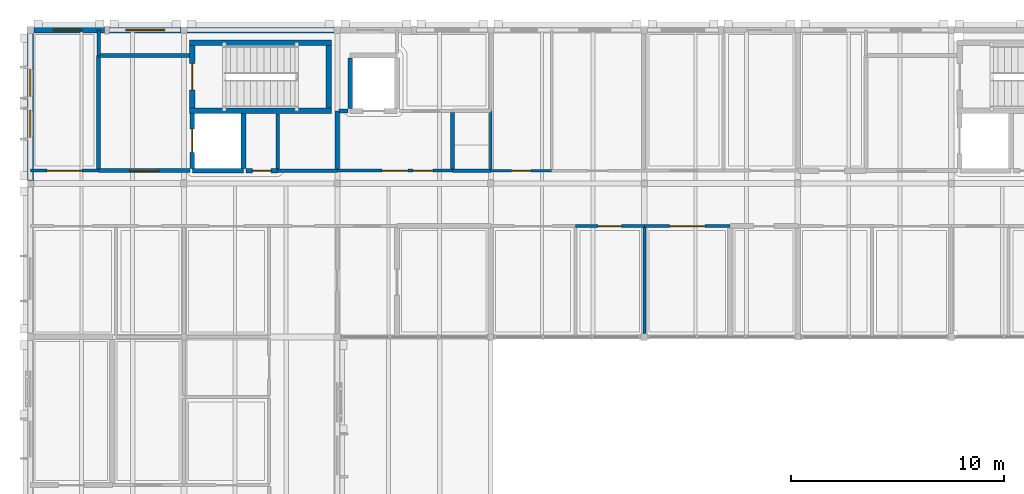
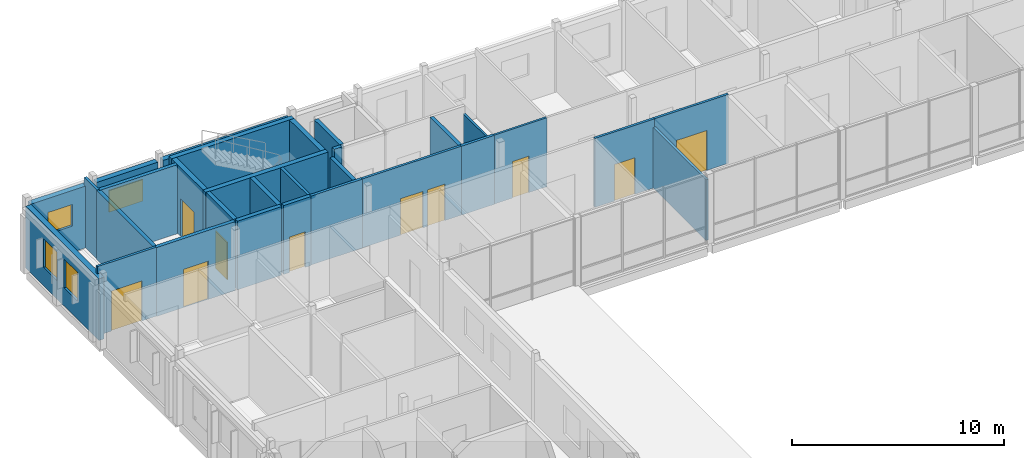
# One storey, part 39 of 57: 30 walls, 10 doors, 4 windows, 14 openings.
"""IFC4 building model written with IfcOpenShell, lengths in metres."""

from ifc_helpers import new_model, si_unit, direction, frame, frame_2d, origin, place, context, subcontext, project, spatial, rectangle, extrude, material, layer, layer_set, type_object, element, fill, save


model = new_model("IFC4")

# Units and contexts
model_context = context("Model", 3, precision=1e-05, world=origin(), true_north=direction((0.0, 1.0)))
body_context = subcontext(model_context, "Body", "Model", "MODEL_VIEW")
ifc_project = project(units=[si_unit("LENGTHUNIT", "METRE"), si_unit("AREAUNIT", "SQUARE_METRE"), si_unit("VOLUMEUNIT", "CUBIC_METRE"), si_unit("PLANEANGLEUNIT", "RADIAN"), si_unit("MASSUNIT", "GRAM", prefix="KILO")], contexts=[model_context])

# Site, building, storey
site_placement = place(None, origin())
site = spatial("IfcSite", under=ifc_project, at=site_placement, CompositionType="ELEMENT")
building_placement = place(site_placement, origin())
building = spatial("IfcBuilding", under=site, at=building_placement, Name="Hawrajan Terrace Health Centre", CompositionType="ELEMENT")
storey_placement = place(building_placement, frame((0.0, 0.0, 13.199951171875)))
storey = spatial("IfcBuildingStorey", under=building, at=storey_placement, Name="L03", CompositionType="ELEMENT", Elevation=13.199951171875)

# Wall, opening, door
ifc_material_1 = material(Name="Gypsum board on acoustic stud framing")
ifc_layer_1 = layer(ifc_material_1, 0.139892578125)
ifc_layer_set_1 = layer_set([ifc_layer_1], Name="Gypsum board on acoustic stud framing")
wall_type_1 = type_object("IfcWallType", Name="ClinicalAcousticWall_140", PredefinedType="PARTITIONING", material=ifc_layer_set_1)
wall_1_placement = place(storey_placement, frame((4.60009765625, 53.199951171875, 0.0), z_axis=(0.0, 0.0, 1.0), x_axis=(1.0, 0.0, 0.0)))
wall_1 = element("IfcWall", 1, at=wall_1_placement, inside=storey, type_object=wall_type_1, Name="Interior wall IW-L03-1276", PredefinedType="PARTITIONING", context=body_context, shape_type="SweptSolid", body=[
    extrude(rectangle(XDim=3.199951171875, YDim=0.139892578125, at=frame_2d((1.60009765625, 0.0))), origin(), (0.0, 0.0, 1.0), 3.9599609375),
])
opening_1_placement = place(wall_1_placement, frame((0.77001953125, 0.0, 0.0)))
opening_1 = element("IfcOpeningElement", 2, at=opening_1_placement, cuts=wall_1, Name="Opening D-L03-593", PredefinedType="OPENING", context=body_context, shape_type="SweptSolid", body=[
    extrude(rectangle(XDim=1.659912109375, YDim=2.300048828125, at=frame_2d((0.830078125, 1.14990234375))), frame((0.0, 0.079833984375, 0.0), z_axis=(0.0, -1.0, 0.0), x_axis=(1.0, 0.0, 0.0)), (0.0, 0.0, 1.0), 0.159912109375),
])
ifc_material_2 = material(Name="Hardwood acoustic clinical door leaf and frame", Category="wood")
door_type_1 = type_object("IfcDoorType", Name="RehabGymDoor_1660x2300", OperationType="DOUBLE_DOOR_SINGLE_SWING", PredefinedType="DOOR", material=ifc_material_2)
door_1_placement = place(opening_1_placement, origin())
door_1 = element("IfcDoor", 3, at=door_1_placement, inside=storey, type_object=door_type_1, Name="Interior door D-L03-593", OperationType="DOUBLE_DOOR_SINGLE_SWING", OverallHeight=2.300048828125, OverallWidth=1.659912109375, PredefinedType="DOOR", context=body_context, shape_type="SweptSolid", body=[
    extrude(rectangle(XDim=1.659912109375, YDim=2.300048828125, at=frame_2d((0.830078125, 1.14990234375))), frame((0.0, 0.02490234375, 0.0), z_axis=(0.0, -1.0, 0.0), x_axis=(1.0, 0.0, 0.0)), (0.0, 0.0, 1.0), 0.050048828125),
])
fill(opening_1, door_1)

# Wall, openings, doors
wall_2_placement = place(storey_placement, frame((19.0, 53.199951171875, 0.0), z_axis=(0.0, 0.0, 1.0), x_axis=(1.0, 0.0, 0.0)))
wall_2 = element("IfcWall", 4, at=wall_2_placement, inside=storey, type_object=wall_type_1, Name="Interior wall IW-L03-1307", PredefinedType="PARTITIONING", context=body_context, shape_type="SweptSolid", body=[
    extrude(rectangle(XDim=5.39990234375, YDim=0.139892578125, at=frame_2d((2.699951171875, 0.0))), origin(), (0.0, 0.0, 1.0), 3.9599609375),
])
opening_2_placement = place(wall_2_placement, frame((2.090087890625, 0.0, 0.0)))
opening_2 = element("IfcOpeningElement", 5, at=opening_2_placement, cuts=wall_2, Name="Opening D-L03-572", PredefinedType="OPENING", context=body_context, shape_type="SweptSolid", body=[
    extrude(rectangle(XDim=1.219970703125, YDim=2.10009765625, at=frame_2d((0.60986328125, 1.050048828125))), frame((0.0, 0.079833984375, 0.0), z_axis=(0.0, -1.0, 0.0), x_axis=(1.0, 0.0, 0.0)), (0.0, 0.0, 1.0), 0.159912109375),
])
opening_3_placement = place(wall_2_placement, frame((3.544921875, 0.0, 0.0)))
opening_3 = element("IfcOpeningElement", 6, at=opening_3_placement, cuts=wall_2, Name="Opening D-L03-573", PredefinedType="OPENING", context=body_context, shape_type="SweptSolid", body=[
    extrude(rectangle(XDim=0.949951171875, YDim=2.10009765625, at=frame_2d((0.47509765625, 1.050048828125))), frame((0.0, 0.079833984375, 0.0), z_axis=(0.0, -1.0, 0.0), x_axis=(1.0, 0.0, 0.0)), (0.0, 0.0, 1.0), 0.159912109375),
])
door_type_2 = type_object("IfcDoorType", Name="AccessibleWCDoor_950x2100", OperationType="NOTDEFINED", PredefinedType="DOOR", material=ifc_material_2)
door_2_placement = place(opening_3_placement, origin())
door_2 = element("IfcDoor", 7, at=door_2_placement, inside=storey, type_object=door_type_2, Name="Interior door D-L03-573", OperationType="SINGLE_SWING_LEFT", OverallHeight=2.10009765625, OverallWidth=0.949951171875, PredefinedType="DOOR", context=body_context, shape_type="SweptSolid", body=[
    extrude(rectangle(XDim=0.949951171875, YDim=2.10009765625, at=frame_2d((0.47509765625, 1.050048828125))), frame((0.0, 0.02490234375, 0.0), z_axis=(0.0, -1.0, 0.0), x_axis=(1.0, 0.0, 0.0)), (0.0, 0.0, 1.0), 0.050048828125),
])
fill(opening_3, door_2)
door_type_3 = type_object("IfcDoorType", Name="ConsultDoor_1220x2100", OperationType="NOTDEFINED", PredefinedType="DOOR", material=ifc_material_2)
door_3_placement = place(opening_2_placement, origin())
door_3 = element("IfcDoor", 8, at=door_3_placement, inside=storey, type_object=door_type_3, Name="Interior door D-L03-572", OperationType="SINGLE_SWING_RIGHT", OverallHeight=2.10009765625, OverallWidth=1.219970703125, PredefinedType="DOOR", context=body_context, shape_type="SweptSolid", body=[
    extrude(rectangle(XDim=1.219970703125, YDim=2.10009765625, at=frame_2d((0.60986328125, 1.050048828125))), frame((0.0, 0.02490234375, 0.0), z_axis=(0.0, -1.0, 0.0), x_axis=(1.0, 0.0, 0.0)), (0.0, 0.0, 1.0), 0.050048828125),
])
fill(opening_2, door_3)

# Wall, opening, door
wall_3_placement = place(storey_placement, frame((30.1669921875, 50.60009765625, 0.0), z_axis=(0.0, 0.0, 1.0), x_axis=(1.0, 0.0, 0.0)))
wall_3 = element("IfcWall", 9, at=wall_3_placement, inside=storey, type_object=wall_type_1, Name="Interior wall IW-L03-1318", PredefinedType="PARTITIONING", context=body_context, shape_type="SweptSolid", body=[
    extrude(rectangle(XDim=3.23291015625, YDim=0.139892578125, at=frame_2d((1.616455078125, 0.0))), origin(), (0.0, 0.0, 1.0), 3.9599609375),
])
opening_4_placement = place(wall_3_placement, frame((1.06640625, 0.0, 0.0)))
opening_4 = element("IfcOpeningElement", 10, at=opening_4_placement, cuts=wall_3, Name="Opening D-L03-602", PredefinedType="OPENING", context=body_context, shape_type="SweptSolid", body=[
    extrude(rectangle(XDim=1.10009765625, YDim=2.10009765625, at=frame_2d((0.550048828125, 1.050048828125))), frame((0.0, 0.079833984375, 0.0), z_axis=(0.0, -1.0, 0.0), x_axis=(1.0, 0.0, 0.0)), (0.0, 0.0, 1.0), 0.159912109375),
])
door_type_4 = type_object("IfcDoorType", Name="ConsultDoor_1100x2100", OperationType="NOTDEFINED", PredefinedType="DOOR", material=ifc_material_2)
door_4_placement = place(opening_4_placement, origin())
door_4 = element("IfcDoor", 11, at=door_4_placement, inside=storey, type_object=door_type_4, Name="Interior door D-L03-602", OperationType="SINGLE_SWING_RIGHT", OverallHeight=2.10009765625, OverallWidth=1.10009765625, PredefinedType="DOOR", context=body_context, shape_type="SweptSolid", body=[
    extrude(rectangle(XDim=1.10009765625, YDim=2.10009765625, at=frame_2d((0.550048828125, 1.050048828125))), frame((0.0, 0.02490234375, 0.0), z_axis=(0.0, -1.0, 0.0), x_axis=(1.0, 0.0, 0.0)), (0.0, 0.0, 1.0), 0.050048828125),
])
fill(opening_4, door_4)

# Wall
wall_4_placement = place(storey_placement, frame((33.39990234375, 45.56005859375, 0.0), z_axis=(0.0, 0.0, 1.0), x_axis=(0.0, 1.0, 0.0)))
element("IfcWall", 12, at=wall_4_placement, inside=storey, type_object=wall_type_1, Name="Interior wall IW-L03-1319", PredefinedType="PARTITIONING", context=body_context, shape_type="SweptSolid", body=[
    extrude(rectangle(XDim=4.969970703125, YDim=0.139892578125, at=frame_2d((2.48486328125, 0.0))), origin(), (0.0, 0.0, 1.0), 3.489990234375),
])

# Wall, opening, door
wall_5_placement = place(storey_placement, frame((33.39990234375, 50.60009765625, 0.0), z_axis=(0.0, 0.0, 1.0), x_axis=(1.0, 0.0, 0.0)))
wall_5 = element("IfcWall", 13, at=wall_5_placement, inside=storey, type_object=wall_type_1, Name="Interior wall IW-L03-1320", PredefinedType="PARTITIONING", context=body_context, shape_type="SweptSolid", body=[
    extrude(rectangle(XDim=4.025146484375, YDim=0.139892578125, at=frame_2d((2.0126953125, 0.0))), origin(), (0.0, 0.0, 1.0), 3.9599609375),
])
opening_5_placement = place(wall_5_placement, frame((1.1826171875, 0.0, 0.0)))
opening_5 = element("IfcOpeningElement", 14, at=opening_5_placement, cuts=wall_5, Name="Opening D-L03-603", PredefinedType="OPENING", context=body_context, shape_type="SweptSolid", body=[
    extrude(rectangle(XDim=1.659912109375, YDim=2.300048828125, at=frame_2d((0.830078125, 1.14990234375))), frame((0.0, 0.079833984375, 0.0), z_axis=(0.0, -1.0, 0.0), x_axis=(1.0, 0.0, 0.0)), (0.0, 0.0, 1.0), 0.159912109375),
])
door_5_placement = place(opening_5_placement, origin())
door_5 = element("IfcDoor", 15, at=door_5_placement, inside=storey, type_object=door_type_1, Name="Interior door D-L03-603", OperationType="DOUBLE_DOOR_SINGLE_SWING", OverallHeight=2.300048828125, OverallWidth=1.659912109375, PredefinedType="DOOR", context=body_context, shape_type="SweptSolid", body=[
    extrude(rectangle(XDim=1.659912109375, YDim=2.300048828125, at=frame_2d((0.830078125, 1.14990234375))), frame((0.0, 0.02490234375, 0.0), z_axis=(0.0, -1.0, 0.0), x_axis=(1.0, 0.0, 0.0)), (0.0, 0.0, 1.0), 0.050048828125),
])
fill(opening_5, door_5)

# Walls
ifc_material_3 = material(Name="Concrete C40/50", Category="concrete")
ifc_layer_2 = layer(ifc_material_3, 0.260009765625)
ifc_layer_set_2 = layer_set([ifc_layer_2], Name="Concrete C40/50")
wall_type_2 = type_object("IfcWallType", Name="CoreShearWall_RC260", PredefinedType="SHEAR", material=ifc_layer_set_2)
for number, where, z_axis, x_axis, name in (
    (16, (12.070068359375, 56.0, 0.0), (0.0, 0.0, 1.0), (1.0, 0.0, 0.0), "Core shear wall SW-C1-L03-S"),
    (17, (12.070068359375, 59.199951171875, 0.0), (0.0, 0.0, 1.0), (1.0, 0.0, 0.0), "Core shear wall SW-C1-L03-N"),
):
    element("IfcWall", number, at=place(storey_placement, frame(where, z_axis=z_axis, x_axis=x_axis)), inside=storey, type_object=wall_type_2, Name=name, PredefinedType="SHEAR", context=body_context, shape_type="SweptSolid", body=[
        extrude(rectangle(XDim=6.659912109375, YDim=0.260009765625, at=frame_2d((3.330078125, 0.0))), origin(), (0.0, 0.0, 1.0), 3.949951171875),
    ])

# Wall, opening, door
wall_6_placement = place(storey_placement, frame((12.199951171875, 56.1298828125, 0.0), z_axis=(0.0, 0.0, 1.0), x_axis=(0.0, 1.0, 0.0)))
wall_6 = element("IfcWall", 18, at=wall_6_placement, inside=storey, type_object=wall_type_2, Name="Core shear wall SW-C1-L03-W", PredefinedType="SHEAR", context=body_context, shape_type="SweptSolid", body=[
    extrude(rectangle(XDim=2.940185546875, YDim=0.260009765625, at=frame_2d((1.47021484375, 0.0))), origin(), (0.0, 0.0, 1.0), 3.949951171875),
])
opening_6_placement = place(wall_6_placement, frame((0.844970703125, 0.0, 0.0)))
opening_6 = element("IfcOpeningElement", 19, at=opening_6_placement, cuts=wall_6, Name="Opening D-L03-565", PredefinedType="OPENING", context=body_context, shape_type="SweptSolid", body=[
    extrude(rectangle(XDim=1.25, YDim=2.14990234375, at=frame_2d((0.625, 1.074951171875))), frame((0.0, 0.139892578125, 0.0), z_axis=(0.0, -1.0, 0.0), x_axis=(1.0, 0.0, 0.0)), (0.0, 0.0, 1.0), 0.280029296875),
])
ifc_material_4 = material(Name="Timber-veneered acoustic fire-resisting door assembly", Category="wood")
door_type_5 = type_object("IfcDoorType", Name="CoreStairDoor_1250x2150", OperationType="NOTDEFINED", PredefinedType="DOOR", material=ifc_material_4)
door_6_placement = place(opening_6_placement, origin())
door_6 = element("IfcDoor", 20, at=door_6_placement, inside=storey, type_object=door_type_5, Name="Interior door D-L03-565", OperationType="SINGLE_SWING_LEFT", OverallHeight=2.14990234375, OverallWidth=1.25, PredefinedType="DOOR", context=body_context, shape_type="SweptSolid", body=[
    extrude(rectangle(XDim=1.25, YDim=2.14990234375, at=frame_2d((0.625, 1.074951171875))), frame((0.0, 0.02490234375, 0.0), z_axis=(0.0, -1.0, 0.0), x_axis=(1.0, 0.0, 0.0)), (0.0, 0.0, 1.0), 0.050048828125),
])
fill(opening_6, door_6)

# Walls
wall_7_placement = place(storey_placement, frame((18.60009765625, 56.1298828125, 0.0), z_axis=(0.0, 0.0, 1.0), x_axis=(0.0, 1.0, 0.0)))
element("IfcWall", 21, at=wall_7_placement, inside=storey, type_object=wall_type_2, Name="Core shear wall SW-C1-L03-E", PredefinedType="SHEAR", context=body_context, shape_type="SweptSolid", body=[
    extrude(rectangle(XDim=2.940185546875, YDim=0.260009765625, at=frame_2d((1.47021484375, 0.0))), origin(), (0.0, 0.0, 1.0), 3.949951171875),
])
ifc_layer_3 = layer(ifc_material_1, 0.159912109375)
ifc_layer_set_3 = layer_set([ifc_layer_3], Name="Gypsum board on acoustic stud framing")
wall_type_3 = type_object("IfcWallType", Name="CorridorFireWall_160", PredefinedType="PARTITIONING", material=ifc_layer_set_3)
wall_8_placement = place(storey_placement, frame((16.199951171875, 53.27001953125, 0.0), z_axis=(0.0, 0.0, 1.0), x_axis=(0.0, 1.0, 0.0)))
element("IfcWall", 22, at=wall_8_placement, inside=storey, type_object=wall_type_3, Name="Interior wall IW-L03-1391", PredefinedType="PARTITIONING", context=body_context, shape_type="SweptSolid", body=[
    extrude(rectangle(XDim=2.590087890625, YDim=0.159912109375, at=frame_2d((1.294921875, 0.0))), origin(), (0.0, 0.0, 1.0), 3.9599609375),
])
wall_9_placement = place(storey_placement, frame((26.199951171875, 53.199951171875, 0.0), z_axis=(0.0, 0.0, 1.0), x_axis=(-1.0, 0.0, 0.0)))
element("IfcWall", 23, at=wall_9_placement, inside=storey, type_object=wall_type_3, Name="Interior wall IW-L03-1401", PredefinedType="PARTITIONING", context=body_context, shape_type="SweptSolid", body=[
    extrude(rectangle(XDim=1.800048828125, YDim=0.159912109375, at=frame_2d((0.89990234375, 0.0))), origin(), (0.0, 0.0, 1.0), 3.9599609375),
])
wall_10_placement = place(storey_placement, frame((19.0, 53.199951171875, 0.0), z_axis=(0.0, 0.0, 1.0), x_axis=(-1.0, 0.0, 0.0)))
element("IfcWall", 24, at=wall_10_placement, inside=storey, type_object=wall_type_3, Name="Interior wall IW-L03-1402", PredefinedType="PARTITIONING", context=body_context, shape_type="SweptSolid", body=[
    extrude(rectangle(XDim=2.800048828125, YDim=0.159912109375, at=frame_2d((1.39990234375, 0.0))), origin(), (0.0, 0.0, 1.0), 3.9599609375),
])
wall_11_placement = place(storey_placement, frame((7.800048828125, 58.60009765625, 0.0), z_axis=(0.0, 0.0, 1.0), x_axis=(0.0, 1.0, 0.0)))
element("IfcWall", 25, at=wall_11_placement, inside=storey, type_object=wall_type_3, Name="Interior wall IW-L03-1409", PredefinedType="PARTITIONING", context=body_context, shape_type="SweptSolid", body=[
    extrude(rectangle(XDim=1.199951171875, YDim=0.159912109375, at=frame_2d((0.60009765625, 0.0))), origin(), (0.0, 0.0, 1.0), 3.9599609375),
])
ifc_material_5 = material(Name="Cross-laminated timber CLT C24", Category="wood")
ifc_layer_4 = layer(ifc_material_5, 0.199951171875)
ifc_layer_set_4 = layer_set([ifc_layer_4], Name="Cross-laminated timber CLT C24")
wall_type_4 = type_object("IfcWallType", Name="FireCompartmentWall_200", PredefinedType="PARTITIONING", material=ifc_layer_set_4)
wall_12_placement = place(storey_placement, frame((7.800048828125, 53.27001953125, 0.0), z_axis=(0.0, 0.0, 1.0), x_axis=(0.0, 1.0, 0.0)))
element("IfcWall", 26, at=wall_12_placement, inside=storey, type_object=wall_type_4, Name="Interior wall IW-L03-1277", PredefinedType="PARTITIONING", context=body_context, shape_type="SweptSolid", body=[
    extrude(rectangle(XDim=5.330078125, YDim=0.199951171875, at=frame_2d((2.6650390625, 0.0))), origin(), (0.0, 0.0, 1.0), 3.9599609375),
])

# Wall, opening, door
wall_13_placement = place(storey_placement, frame((7.800048828125, 53.199951171875, 0.0), z_axis=(0.0, 0.0, 1.0), x_axis=(1.0, 0.0, 0.0)))
wall_13 = element("IfcWall", 27, at=wall_13_placement, inside=storey, type_object=wall_type_4, Name="Interior wall IW-L03-1278", PredefinedType="PARTITIONING", context=body_context, shape_type="SweptSolid", body=[
    extrude(rectangle(XDim=4.2900390625, YDim=0.199951171875, at=frame_2d((2.14501953125, 0.0))), origin(), (0.0, 0.0, 1.0), 3.9599609375),
])
opening_7_placement = place(wall_13_placement, frame((1.465087890625, 0.0, 0.0)))
opening_7 = element("IfcOpeningElement", 28, at=opening_7_placement, cuts=wall_13, Name="Opening D-L03-569", PredefinedType="OPENING", context=body_context, shape_type="SweptSolid", body=[
    extrude(rectangle(XDim=1.360107421875, YDim=2.199951171875, at=frame_2d((0.68017578125, 1.10009765625))), frame((0.0, 0.10986328125, 0.0), z_axis=(0.0, -1.0, 0.0), x_axis=(1.0, 0.0, 0.0)), (0.0, 0.0, 1.0), 0.219970703125),
])
door_type_6 = type_object("IfcDoorType", Name="FFLobbyDoor_1360x2200", OperationType="NOTDEFINED", PredefinedType="DOOR", material=ifc_material_4)
door_7_placement = place(opening_7_placement, origin())
door_7 = element("IfcDoor", 29, at=door_7_placement, inside=storey, type_object=door_type_6, Name="Interior door D-L03-569", OperationType="SINGLE_SWING_LEFT", OverallHeight=2.199951171875, OverallWidth=1.360107421875, PredefinedType="DOOR", context=body_context, shape_type="SweptSolid", body=[
    extrude(rectangle(XDim=1.360107421875, YDim=2.199951171875, at=frame_2d((0.68017578125, 1.10009765625))), frame((0.0, 0.02490234375, 0.0), z_axis=(0.0, -1.0, 0.0), x_axis=(1.0, 0.0, 0.0)), (0.0, 0.0, 1.0), 0.050048828125),
])
fill(opening_7, door_7)

# Walls
wall_14_placement = place(storey_placement, frame((12.06005859375, 58.60009765625, 0.0), z_axis=(0.0, 0.0, 1.0), x_axis=(-1.0, 0.0, 0.0)))
element("IfcWall", 30, at=wall_14_placement, inside=storey, type_object=wall_type_4, Name="Interior wall IW-L03-1394", PredefinedType="PARTITIONING", context=body_context, shape_type="SweptSolid", body=[
    extrude(rectangle(XDim=4.260009765625, YDim=0.199951171875, at=frame_2d((2.1298828125, 0.0))), origin(), (0.0, 0.0, 1.0), 3.9599609375),
])
wall_15_placement = place(storey_placement, frame((24.39990234375, 53.27001953125, 0.0), z_axis=(0.0, 0.0, 1.0), x_axis=(0.0, 1.0, 0.0)))
element("IfcWall", 31, at=wall_15_placement, inside=storey, type_object=wall_type_4, Name="Interior wall IW-L03-1397", PredefinedType="PARTITIONING", context=body_context, shape_type="SweptSolid", body=[
    extrude(rectangle(XDim=2.659912109375, YDim=0.199951171875, at=frame_2d((1.330078125, 0.0))), origin(), (0.0, 0.0, 1.0), 3.9599609375),
])
wall_16_placement = place(storey_placement, frame((19.489990234375, 56.0, 0.0), z_axis=(0.0, 0.0, 1.0), x_axis=(-1.0, 0.0, 0.0)))
element("IfcWall", 32, at=wall_16_placement, inside=storey, type_object=wall_type_4, Name="Interior wall IW-L03-1398", PredefinedType="PARTITIONING", context=body_context, shape_type="SweptSolid", body=[
    extrude(rectangle(XDim=0.409912109375, YDim=0.199951171875, at=frame_2d((0.205078125, 0.0))), origin(), (0.0, 0.0, 1.0), 3.9599609375),
])
wall_17_placement = place(storey_placement, frame((19.0, 53.27001953125, 0.0), z_axis=(0.0, 0.0, 1.0), x_axis=(0.0, 1.0, 0.0)))
element("IfcWall", 33, at=wall_17_placement, inside=storey, type_object=wall_type_4, Name="Interior wall IW-L03-1399", PredefinedType="PARTITIONING", context=body_context, shape_type="SweptSolid", body=[
    extrude(rectangle(XDim=2.72998046875, YDim=0.199951171875, at=frame_2d((1.364990234375, 0.0))), origin(), (0.0, 0.0, 1.0), 3.489990234375),
])

# Wall, opening, window
ifc_layer_5 = layer(ifc_material_5, 0.2900390625)
ifc_layer_set_5 = layer_set([ifc_layer_5], Name="Cross-laminated timber CLT C24")
wall_type_5 = type_object("IfcWallType", Name="InsulatedTimberFacade_290", PredefinedType="SOLIDWALL", material=ifc_layer_set_5)
wall_18_placement = place(storey_placement, frame((4.760009765625, 59.800048828125, 0.0), z_axis=(0.0, 0.0, 1.0), x_axis=(1.0, 0.0, 0.0)))
wall_18 = element("IfcWall", 34, at=wall_18_placement, inside=storey, type_object=wall_type_5, Name="Exterior wall EW-L03-H00-07-1", PredefinedType="SOLIDWALL", context=body_context, shape_type="SweptSolid", body=[
    extrude(rectangle(XDim=3.320068359375, YDim=0.2900390625, at=frame_2d((1.66015625, 0.0))), origin(), (0.0, 0.0, 1.0), 3.550048828125),
])
opening_8_placement = place(wall_18_placement, frame((0.919921875, 0.0, 1.5)))
opening_8 = element("IfcOpeningElement", 35, at=opening_8_placement, cuts=wall_18, Name="Opening W-L03-176", PredefinedType="OPENING", context=body_context, shape_type="SweptSolid", body=[
    extrude(rectangle(XDim=1.320068359375, YDim=1.25, at=frame_2d((0.66015625, 0.625))), frame((0.0, 0.155029296875, 0.0), z_axis=(0.0, -1.0, 0.0), x_axis=(1.0, 0.0, 0.0)), (0.0, 0.0, 1.0), 0.31005859375),
])
ifc_material_6 = material(Name="Anodized bronze frame with double low-E glazing", Category="glass")
window_type_1 = type_object("IfcWindowType", Name="FacadeWindow_1320x1250", PartitioningType="SINGLE_PANEL", PredefinedType="WINDOW", material=ifc_material_6)
window_1_placement = place(opening_8_placement, origin())
window_1 = element("IfcWindow", 36, at=window_1_placement, inside=storey, type_object=window_type_1, Name="Window W-L03-176", OverallHeight=1.25, OverallWidth=1.320068359375, PartitioningType="SINGLE_PANEL", PredefinedType="WINDOW", context=body_context, shape_type="SweptSolid", body=[
    extrude(rectangle(XDim=1.320068359375, YDim=1.25, at=frame_2d((0.66015625, 0.625))), frame((0.0, 0.030029296875, 0.0), z_axis=(0.0, -1.0, 0.0), x_axis=(1.0, 0.0, 0.0)), (0.0, 0.0, 1.0), 0.06005859375),
])
fill(opening_8, window_1)

wall_19_placement = place(storey_placement, frame((8.320068359375, 59.800048828125, 0.0), z_axis=(0.0, 0.0, 1.0), x_axis=(1.0, 0.0, 0.0)))
wall_19 = element("IfcWall", 37, at=wall_19_placement, inside=storey, type_object=wall_type_5, Name="Exterior wall EW-L03-H00-07-2", PredefinedType="SOLIDWALL", context=body_context, shape_type="SweptSolid", body=[
    extrude(rectangle(XDim=3.33984375, YDim=0.2900390625, at=frame_2d((1.669921875, 0.0))), origin(), (0.0, 0.0, 1.0), 3.550048828125),
])
opening_9_placement = place(wall_19_placement, frame((0.7451171875, 0.0, 1.5)))
opening_9 = element("IfcOpeningElement", 38, at=opening_9_placement, cuts=wall_19, Name="Opening W-L03-177", PredefinedType="OPENING", context=body_context, shape_type="SweptSolid", body=[
    extrude(rectangle(XDim=1.85009765625, YDim=1.25, at=frame_2d((0.925048828125, 0.625))), frame((0.0, 0.155029296875, 0.0), z_axis=(0.0, -1.0, 0.0), x_axis=(1.0, 0.0, 0.0)), (0.0, 0.0, 1.0), 0.31005859375),
])
window_type_2 = type_object("IfcWindowType", Name="FacadeWindow_1850x1250", PartitioningType="DOUBLE_PANEL_VERTICAL", PredefinedType="WINDOW", material=ifc_material_6)
window_2_placement = place(opening_9_placement, origin())
window_2 = element("IfcWindow", 39, at=window_2_placement, inside=storey, type_object=window_type_2, Name="Window W-L03-177", OverallHeight=1.25, OverallWidth=1.85009765625, PartitioningType="DOUBLE_PANEL_VERTICAL", PredefinedType="WINDOW", context=body_context, shape_type="SweptSolid", body=[
    extrude(rectangle(XDim=1.85009765625, YDim=1.25, at=frame_2d((0.925048828125, 0.625))), frame((0.0, 0.030029296875, 0.0), z_axis=(0.0, -1.0, 0.0), x_axis=(1.0, 0.0, 0.0)), (0.0, 0.0, 1.0), 0.06005859375),
])
fill(opening_9, window_2)

# Wall, openings, windows
wall_20_placement = place(storey_placement, frame((4.60009765625, 52.739990234375, 0.0), z_axis=(0.0, 0.0, 1.0), x_axis=(0.0, 1.0, 0.0)))
wall_20 = element("IfcWall", 40, at=wall_20_placement, inside=storey, type_object=wall_type_5, Name="Exterior wall EW-L03-V00-06-1", PredefinedType="SOLIDWALL", context=body_context, shape_type="SweptSolid", body=[
    extrude(rectangle(XDim=6.89990234375, YDim=0.2900390625, at=frame_2d((3.449951171875, 0.0))), origin(), (0.0, 0.0, 1.0), 3.550048828125),
])
opening_10_placement = place(wall_20_placement, frame((2.02001953125, 0.0, 1.050048828125)))
opening_10 = element("IfcOpeningElement", 41, at=opening_10_placement, cuts=wall_20, Name="Opening W-L03-178", PredefinedType="OPENING", context=body_context, shape_type="SweptSolid", body=[
    extrude(rectangle(XDim=1.260009765625, YDim=1.64990234375, at=frame_2d((0.6298828125, 0.824951171875))), frame((0.0, 0.155029296875, 0.0), z_axis=(0.0, -1.0, 0.0), x_axis=(1.0, 0.0, 0.0)), (0.0, 0.0, 1.0), 0.31005859375),
])
opening_11_placement = place(wall_20_placement, frame((3.9599609375, 0.0, 1.050048828125)))
opening_11 = element("IfcOpeningElement", 42, at=opening_11_placement, cuts=wall_20, Name="Opening W-L03-179", PredefinedType="OPENING", context=body_context, shape_type="SweptSolid", body=[
    extrude(rectangle(XDim=1.260009765625, YDim=1.64990234375, at=frame_2d((0.6298828125, 0.824951171875))), frame((0.0, 0.155029296875, 0.0), z_axis=(0.0, -1.0, 0.0), x_axis=(1.0, 0.0, 0.0)), (0.0, 0.0, 1.0), 0.31005859375),
])
window_type_3 = type_object("IfcWindowType", Name="FacadeWindow_1260x1650", PartitioningType="SINGLE_PANEL", PredefinedType="WINDOW", material=ifc_material_6)
window_3_placement = place(opening_10_placement, origin())
window_3 = element("IfcWindow", 43, at=window_3_placement, inside=storey, type_object=window_type_3, Name="Window W-L03-178", OverallHeight=1.64990234375, OverallWidth=1.260009765625, PartitioningType="SINGLE_PANEL", PredefinedType="WINDOW", context=body_context, shape_type="SweptSolid", body=[
    extrude(rectangle(XDim=1.260009765625, YDim=1.64990234375, at=frame_2d((0.6298828125, 0.824951171875))), frame((0.0, 0.030029296875, 0.0), z_axis=(0.0, -1.0, 0.0), x_axis=(1.0, 0.0, 0.0)), (0.0, 0.0, 1.0), 0.06005859375),
])
fill(opening_10, window_3)
window_4_placement = place(opening_11_placement, origin())
window_4 = element("IfcWindow", 44, at=window_4_placement, inside=storey, type_object=window_type_3, Name="Window W-L03-179", OverallHeight=1.64990234375, OverallWidth=1.260009765625, PartitioningType="SINGLE_PANEL", PredefinedType="WINDOW", context=body_context, shape_type="SweptSolid", body=[
    extrude(rectangle(XDim=1.260009765625, YDim=1.64990234375, at=frame_2d((0.6298828125, 0.824951171875))), frame((0.0, 0.030029296875, 0.0), z_axis=(0.0, -1.0, 0.0), x_axis=(1.0, 0.0, 0.0)), (0.0, 0.0, 1.0), 0.06005859375),
])
fill(opening_11, window_4)

# Walls
wall_21_placement = place(storey_placement, frame((11.93994140625, 59.800048828125, 0.0), z_axis=(0.0, 0.0, 1.0), x_axis=(1.0, 0.0, 0.0)))
element("IfcWall", 45, at=wall_21_placement, inside=storey, type_object=wall_type_5, Name="Exterior wall EW-L03-H01-07-1", PredefinedType="SOLIDWALL", context=body_context, shape_type="SweptSolid", body=[
    extrude(rectangle(XDim=6.900146484375, YDim=0.2900390625, at=frame_2d((3.4501953125, 0.0))), origin(), (0.0, 0.0, 1.0), 3.550048828125),
])
ifc_layer_6 = layer(ifc_material_3, 0.219970703125)
ifc_layer_set_6 = layer_set([ifc_layer_6], Name="Concrete C40/50")
wall_type_6 = type_object("IfcWallType", Name="ShaftWall_RC220", PredefinedType="SOLIDWALL", material=ifc_layer_set_6)
wall_22_placement = place(storey_placement, frame((12.199951171875, 53.199951171875, 0.0), z_axis=(0.0, 0.0, 1.0), x_axis=(1.0, 0.0, 0.0)))
element("IfcWall", 46, at=wall_22_placement, inside=storey, type_object=wall_type_6, Name="Lift shaft wall LW-LC-01-L03-S", PredefinedType="SOLIDWALL", context=body_context, shape_type="SweptSolid", body=[
    extrude(rectangle(XDim=2.400146484375, YDim=0.219970703125, at=frame_2d((1.2001953125, 0.0))), origin(), (0.0, 0.0, 1.0), 3.949951171875),
])

# Wall, opening, door
wall_23_placement = place(storey_placement, frame((12.199951171875, 53.31005859375, 0.0), z_axis=(0.0, 0.0, 1.0), x_axis=(0.0, 1.0, 0.0)))
wall_23 = element("IfcWall", 47, at=wall_23_placement, inside=storey, type_object=wall_type_6, Name="Lift shaft wall LW-LC-01-L03-W", PredefinedType="SOLIDWALL", context=body_context, shape_type="SweptSolid", body=[
    extrude(rectangle(XDim=2.579833984375, YDim=0.219970703125, at=frame_2d((1.2900390625, 0.0))), origin(), (0.0, 0.0, 1.0), 3.949951171875),
])
opening_12_placement = place(wall_23_placement, frame((0.739990234375, 0.0, 0.0)))
opening_12 = element("IfcOpeningElement", 48, at=opening_12_placement, cuts=wall_23, Name="Opening LD-L03-LC-01", PredefinedType="OPENING", context=body_context, shape_type="SweptSolid", body=[
    extrude(rectangle(XDim=1.10009765625, YDim=2.14990234375, at=frame_2d((0.550048828125, 1.074951171875))), frame((0.0, 0.119873046875, 0.0), z_axis=(0.0, -1.0, 0.0), x_axis=(1.0, 0.0, 0.0)), (0.0, 0.0, 1.0), 0.239990234375),
])
ifc_material_7 = material(Name="Brushed bronze stainless-steel sliding lift landing door", Category="steel")
door_type_7 = type_object("IfcDoorType", Name="LiftLandingDoor_1100x2150", OperationType="SLIDING_TO_LEFT", PredefinedType="DOOR", material=ifc_material_7)
door_8_placement = place(opening_12_placement, origin())
door_8 = element("IfcDoor", 49, at=door_8_placement, inside=storey, type_object=door_type_7, Name="Lift landing door LD-L03-LC-01", OperationType="SLIDING_TO_LEFT", OverallHeight=2.14990234375, OverallWidth=1.10009765625, PredefinedType="DOOR", context=body_context, shape_type="SweptSolid", body=[
    extrude(rectangle(XDim=1.10009765625, YDim=2.14990234375, at=frame_2d((0.550048828125, 1.074951171875))), frame((0.0, 0.02490234375, 0.0), z_axis=(0.0, -1.0, 0.0), x_axis=(1.0, 0.0, 0.0)), (0.0, 0.0, 1.0), 0.050048828125),
])
fill(opening_12, door_8)

# Walls
wall_24_placement = place(storey_placement, frame((14.60009765625, 53.31005859375, 0.0), z_axis=(0.0, 0.0, 1.0), x_axis=(0.0, 1.0, 0.0)))
element("IfcWall", 50, at=wall_24_placement, inside=storey, type_object=wall_type_6, Name="Lift shaft wall LW-LC-01-L03-E", PredefinedType="SOLIDWALL", context=body_context, shape_type="SweptSolid", body=[
    extrude(rectangle(XDim=2.579833984375, YDim=0.219970703125, at=frame_2d((1.2900390625, 0.0))), origin(), (0.0, 0.0, 1.0), 3.949951171875),
])
wall_25_placement = place(storey_placement, frame((19.60009765625, 56.110107421875, 0.0), z_axis=(0.0, 0.0, 1.0), x_axis=(0.0, 1.0, 0.0)))
element("IfcWall", 51, at=wall_25_placement, inside=storey, type_object=wall_type_6, Name="Lift shaft wall LW-LC-02-L03-W", PredefinedType="SOLIDWALL", context=body_context, shape_type="SweptSolid", body=[
    extrude(rectangle(XDim=2.3798828125, YDim=0.219970703125, at=frame_2d((1.18994140625, 0.0))), origin(), (0.0, 0.0, 1.0), 3.949951171875),
])

# Wall, opening, door
wall_26_placement = place(storey_placement, frame((14.7099609375, 53.199951171875, 0.0), z_axis=(0.0, 0.0, 1.0), x_axis=(1.0, 0.0, 0.0)))
wall_26 = element("IfcWall", 52, at=wall_26_placement, inside=storey, type_object=wall_type_6, Name="Interior wall IW-L03-1297", PredefinedType="SOLIDWALL", context=body_context, shape_type="SweptSolid", body=[
    extrude(rectangle(XDim=1.489990234375, YDim=0.219970703125, at=frame_2d((0.7451171875, 0.0))), origin(), (0.0, 0.0, 1.0), 3.9599609375),
])
opening_13_placement = place(wall_26_placement, frame((0.304931640625, 0.0, 0.0)))
opening_13 = element("IfcOpeningElement", 53, at=opening_13_placement, cuts=wall_26, Name="Opening D-L03-580", PredefinedType="OPENING", context=body_context, shape_type="SweptSolid", body=[
    extrude(rectangle(XDim=0.8798828125, YDim=2.050048828125, at=frame_2d((0.43994140625, 1.02490234375))), frame((0.0, 0.119873046875, 0.0), z_axis=(0.0, -1.0, 0.0), x_axis=(1.0, 0.0, 0.0)), (0.0, 0.0, 1.0), 0.239990234375),
])
door_type_8 = type_object("IfcDoorType", Name="RiserAccessDoor_880x2050", OperationType="NOTDEFINED", PredefinedType="DOOR", material=ifc_material_4)
door_9_placement = place(opening_13_placement, origin())
door_9 = element("IfcDoor", 54, at=door_9_placement, inside=storey, type_object=door_type_8, Name="Service riser access door D-L03-580", OperationType="SINGLE_SWING_RIGHT", OverallHeight=2.050048828125, OverallWidth=0.8798828125, PredefinedType="DOOR", context=body_context, shape_type="SweptSolid", body=[
    extrude(rectangle(XDim=0.8798828125, YDim=2.050048828125, at=frame_2d((0.43994140625, 1.02490234375))), frame((0.0, 0.02490234375, 0.0), z_axis=(0.0, -1.0, 0.0), x_axis=(1.0, 0.0, 0.0)), (0.0, 0.0, 1.0), 0.050048828125),
])
fill(opening_13, door_9)

ifc_material_8 = material(Name="Moisture-resistant board on stud framing")
ifc_layer_7 = layer(ifc_material_8, 0.1201171875)
ifc_layer_set_7 = layer_set([ifc_layer_7], Name="Moisture-resistant board on stud framing")
wall_type_7 = type_object("IfcWallType", Name="WetRoomPartition_120", PredefinedType="PLUMBINGWALL", material=ifc_layer_set_7)
wall_27_placement = place(storey_placement, frame((26.199951171875, 53.199951171875, 0.0), z_axis=(0.0, 0.0, 1.0), x_axis=(1.0, 0.0, 0.0)))
wall_27 = element("IfcWall", 55, at=wall_27_placement, inside=storey, type_object=wall_type_7, Name="Interior wall IW-L03-1313", PredefinedType="PLUMBINGWALL", context=body_context, shape_type="SweptSolid", body=[
    extrude(rectangle(XDim=2.85009765625, YDim=0.1201171875, at=frame_2d((1.425048828125, 0.0))), origin(), (0.0, 0.0, 1.0), 3.9599609375),
])
opening_14_placement = place(wall_27_placement, frame((0.97509765625, 0.0, 0.0)))
opening_14 = element("IfcOpeningElement", 56, at=opening_14_placement, cuts=wall_27, Name="Opening D-L03-583", PredefinedType="OPENING", context=body_context, shape_type="SweptSolid", body=[
    extrude(rectangle(XDim=0.89990234375, YDim=2.10009765625, at=frame_2d((0.449951171875, 1.050048828125))), frame((0.0, 0.070068359375, 0.0), z_axis=(0.0, -1.0, 0.0), x_axis=(1.0, 0.0, 0.0)), (0.0, 0.0, 1.0), 0.14013671875),
])
door_type_9 = type_object("IfcDoorType", Name="PatientWCDoor_900x2100", OperationType="NOTDEFINED", PredefinedType="DOOR", material=ifc_material_2)
door_10_placement = place(opening_14_placement, origin())
door_10 = element("IfcDoor", 57, at=door_10_placement, inside=storey, type_object=door_type_9, Name="Interior door D-L03-583", OperationType="SINGLE_SWING_LEFT", OverallHeight=2.10009765625, OverallWidth=0.89990234375, PredefinedType="DOOR", context=body_context, shape_type="SweptSolid", body=[
    extrude(rectangle(XDim=0.89990234375, YDim=2.10009765625, at=frame_2d((0.449951171875, 1.050048828125))), frame((0.0, 0.02490234375, 0.0), z_axis=(0.0, -1.0, 0.0), x_axis=(1.0, 0.0, 0.0)), (0.0, 0.0, 1.0), 0.050048828125),
])
fill(opening_14, door_10)

# Wall
wall_28_placement = place(storey_placement, frame((26.199951171875, 53.27001953125, 0.0), z_axis=(0.0, 0.0, 1.0), x_axis=(0.0, 1.0, 0.0)))
element("IfcWall", 58, at=wall_28_placement, inside=storey, type_object=wall_type_7, Name="Interior wall IW-L03-1406", PredefinedType="PLUMBINGWALL", context=body_context, shape_type="SweptSolid", body=[
    extrude(rectangle(XDim=2.72998046875, YDim=0.1201171875, at=frame_2d((1.364990234375, 0.0))), origin(), (0.0, 0.0, 1.0), 3.489990234375),
])

save(model, "model.ifc")
